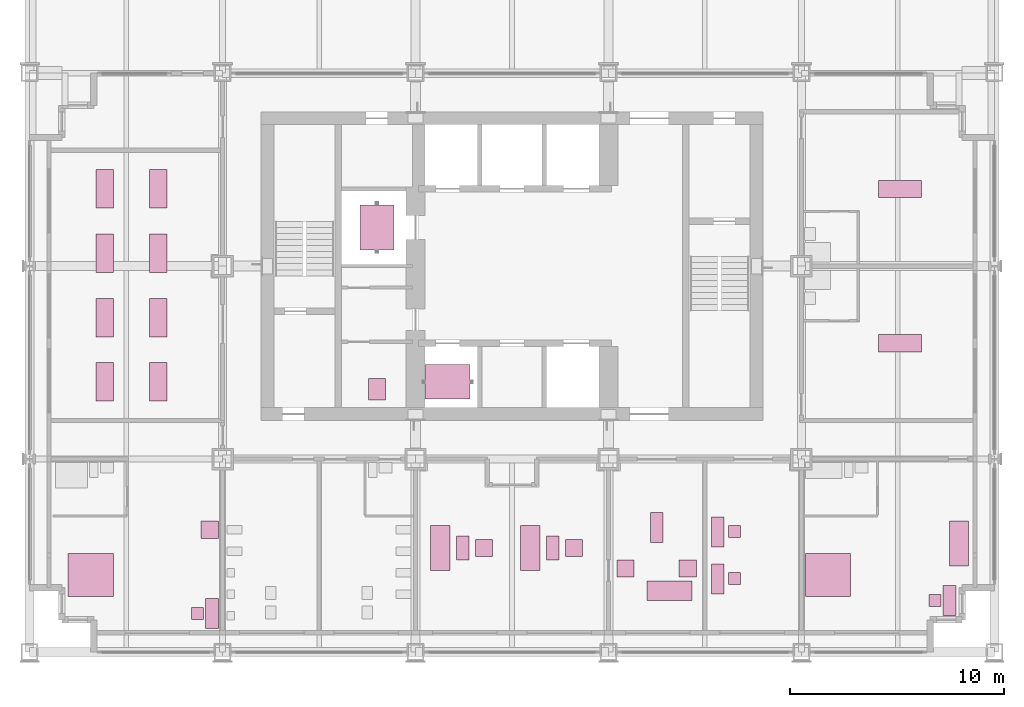
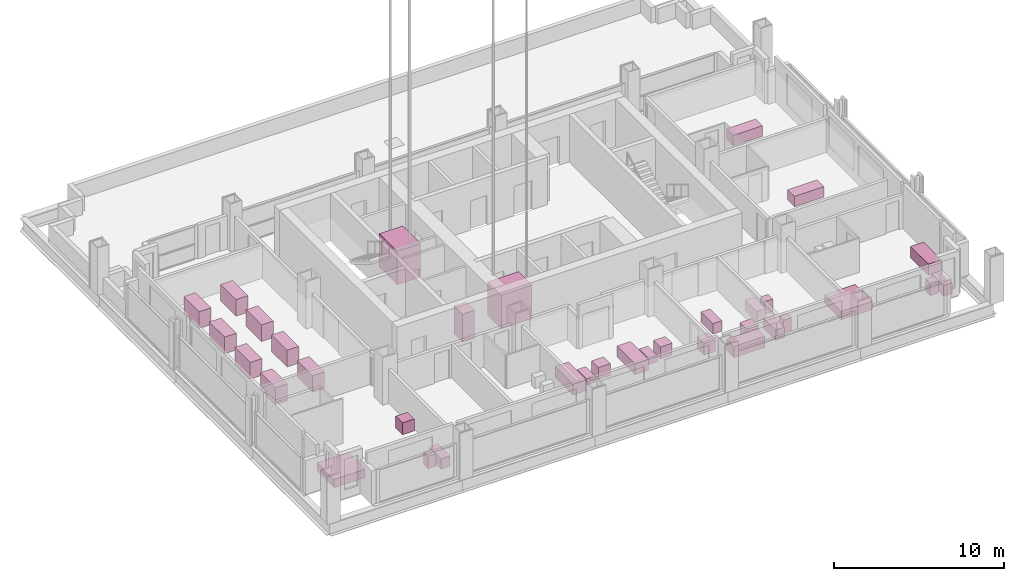
# One storey, part 14 of 15: 33 furniture elements, 2 transport elements.
"""IFC4 building model written with IfcOpenShell, lengths in metres."""

from ifc_helpers import new_model, si_unit, direction, frame, origin, origin_2d, place, context, subcontext, project, spatial, rectangle, extrude, material, type_object, element, save


model = new_model("IFC4")

# Units and contexts
model_context = context("Model", 3, precision=1e-05, world=origin(), true_north=direction((0.0, 1.0)))
body_context = subcontext(model_context, "Body", "Model", "MODEL_VIEW")
ifc_project = project(units=[si_unit("LENGTHUNIT", "METRE"), si_unit("AREAUNIT", "SQUARE_METRE"), si_unit("VOLUMEUNIT", "CUBIC_METRE"), si_unit("PLANEANGLEUNIT", "RADIAN"), si_unit("MASSUNIT", "GRAM", prefix="KILO")], contexts=[model_context])

# Site, building, storey
site_placement = place(None, origin())
site = spatial("IfcSite", under=ifc_project, at=site_placement, CompositionType="ELEMENT")
building_placement = place(site_placement, origin())
building = spatial("IfcBuilding", under=site, at=building_placement, Name="Loomwork Tower", CompositionType="ELEMENT")
storey_placement = place(building_placement, frame((0.0, 0.0, 160.39990234375)))
storey = spatial("IfcBuildingStorey", under=building, at=storey_placement, Name="L43", CompositionType="ELEMENT", Elevation=160.39990234375)

# Transport elements
ifc_material = material(Name="Steel lift car", Category="steel")
transport_element_type = type_object("IfcTransportElementType", Name="Passenger lift 1600 kg", PredefinedType="ELEVATOR", material=ifc_material)
for number, where, z_axis, x_axis, name in (
    (1, (19.5, 12.60009765625, -5.0), (0.0, 0.0, 1.0), (1.0, 0.0, 0.0), "Passenger lift LC1"),
    (2, (16.199951171875, 19.800048828125, -5.0), (0.0, 0.0, 1.0), (0.0, 1.0, 0.0), "Passenger lift LC2"),
):
    element("IfcTransportElement", number, at=place(storey_placement, frame(where, z_axis=z_axis, x_axis=x_axis)), inside=storey, type_object=transport_element_type, Name=name, PredefinedType="ELEVATOR", context=body_context, shape_type="SweptSolid", body=[
        extrude(rectangle(XDim=2.10009765625, YDim=1.60009765625, at=origin_2d()), frame((0.0, 0.0, 5.0)), (0.0, 0.0, 1.0), 2.39990234375),
    ])

# Furniture
furniture_1_placement = place(storey_placement, frame((2.85009765625, 3.60009765625, 0.0), z_axis=(0.0, 0.0, 1.0), x_axis=(1.0, 0.0, 0.0)))
element("IfcFurniture", 3, at=furniture_1_placement, inside=storey, Name="King bed L43", PredefinedType="BED", context=body_context, shape_type="SweptSolid", body=[
    extrude(rectangle(XDim=2.10009765625, YDim=2.0, at=origin_2d()), origin(), (0.0, 0.0, 1.0), 0.60009765625),
])
furniture_2_placement = place(storey_placement, frame((8.5, 1.800048828125, 0.0), z_axis=(0.0, 0.0, 1.0), x_axis=(1.0, 0.0, 0.0)))
element("IfcFurniture", 4, at=furniture_2_placement, inside=storey, Name="Writing desk L43", PredefinedType="DESK", context=body_context, shape_type="SweptSolid", body=[
    extrude(rectangle(XDim=0.60009765625, YDim=1.39990234375, at=origin_2d()), origin(), (0.0, 0.0, 1.0), 0.75),
])
furniture_3_placement = place(storey_placement, frame((7.824951171875, 1.800048828125, 0.000244140625), z_axis=(0.0, 0.0, 1.0), x_axis=(1.0, 0.0, 0.0)))
element("IfcFurniture", 5, at=furniture_3_placement, inside=storey, Name="Desk chair L43", PredefinedType="CHAIR", context=body_context, shape_type="SweptSolid", body=[
    extrude(rectangle(XDim=0.550048828125, YDim=0.550048828125, at=origin_2d()), origin(), (0.0, 0.0, 1.0), 0.89990234375),
])
furniture_4_placement = place(storey_placement, frame((8.39990234375, 5.699951171875, 0.0), z_axis=(0.0, 0.0, 1.0), x_axis=(1.0, 0.0, 0.0)))
element("IfcFurniture", 6, at=furniture_4_placement, inside=storey, Name="Lounge armchair L43", PredefinedType="CHAIR", context=body_context, shape_type="SweptSolid", body=[
    extrude(rectangle(XDim=0.800048828125, YDim=0.800048828125, at=origin_2d()), origin(), (0.0, 0.0, 1.0), 0.85009765625),
])
furniture_5_placement = place(storey_placement, frame((19.14990234375, 4.85009765625, 0.0), z_axis=(0.0, 0.0, 1.0), x_axis=(1.0, 0.0, 0.0)))
element("IfcFurniture", 7, at=furniture_5_placement, inside=storey, Name="Sofa L43", PredefinedType="SOFA", context=body_context, shape_type="SweptSolid", body=[
    extrude(rectangle(XDim=0.89990234375, YDim=2.10009765625, at=origin_2d()), origin(), (0.0, 0.0, 1.0), 0.800048828125),
])
furniture_6_placement = place(storey_placement, frame((20.199951171875, 4.85009765625, 0.0), z_axis=(0.0, 0.0, 1.0), x_axis=(1.0, 0.0, 0.0)))
element("IfcFurniture", 8, at=furniture_6_placement, inside=storey, Name="Coffee table L43", PredefinedType="TABLE", context=body_context, shape_type="SweptSolid", body=[
    extrude(rectangle(XDim=0.60009765625, YDim=1.10009765625, at=origin_2d()), origin(), (0.0, 0.0, 1.0), 0.449951171875),
])
furniture_7_placement = place(storey_placement, frame((21.199951171875, 4.85009765625, 0.0), z_axis=(0.0, 0.0, 1.0), x_axis=(1.0, 0.0, 0.0)))
element("IfcFurniture", 9, at=furniture_7_placement, inside=storey, Name="Lounge armchair L43", PredefinedType="CHAIR", context=body_context, shape_type="SweptSolid", body=[
    extrude(rectangle(XDim=0.800048828125, YDim=0.800048828125, at=origin_2d()), origin(), (0.0, 0.0, 1.0), 0.85009765625),
])
furniture_8_placement = place(storey_placement, frame((23.35009765625, 4.85009765625, 0.0), z_axis=(0.0, 0.0, 1.0), x_axis=(1.0, 0.0, 0.0)))
element("IfcFurniture", 10, at=furniture_8_placement, inside=storey, Name="Sofa L43", PredefinedType="SOFA", context=body_context, shape_type="SweptSolid", body=[
    extrude(rectangle(XDim=0.89990234375, YDim=2.10009765625, at=origin_2d()), origin(), (0.0, 0.0, 1.0), 0.800048828125),
])
furniture_9_placement = place(storey_placement, frame((24.39990234375, 4.85009765625, 0.0), z_axis=(0.0, 0.0, 1.0), x_axis=(1.0, 0.0, 0.0)))
element("IfcFurniture", 11, at=furniture_9_placement, inside=storey, Name="Coffee table L43", PredefinedType="TABLE", context=body_context, shape_type="SweptSolid", body=[
    extrude(rectangle(XDim=0.60009765625, YDim=1.10009765625, at=origin_2d()), origin(), (0.0, 0.0, 1.0), 0.449951171875),
])
furniture_10_placement = place(storey_placement, frame((25.39990234375, 4.85009765625, 0.0), z_axis=(0.0, 0.0, 1.0), x_axis=(1.0, 0.0, 0.0)))
element("IfcFurniture", 12, at=furniture_10_placement, inside=storey, Name="Lounge armchair L43", PredefinedType="CHAIR", context=body_context, shape_type="SweptSolid", body=[
    extrude(rectangle(XDim=0.800048828125, YDim=0.800048828125, at=origin_2d()), origin(), (0.0, 0.0, 1.0), 0.85009765625),
])
furniture_11_placement = place(storey_placement, frame((29.25, 5.800048828125, 0.0), z_axis=(0.0, 0.0, 1.0), x_axis=(1.0, 0.0, 0.0)))
element("IfcFurniture", 13, at=furniture_11_placement, inside=storey, Name="Writing desk L43", PredefinedType="DESK", context=body_context, shape_type="SweptSolid", body=[
    extrude(rectangle(XDim=0.60009765625, YDim=1.39990234375, at=origin_2d()), origin(), (0.0, 0.0, 1.0), 0.75),
])
for number, where, z_axis, x_axis, name in (
    (14, (27.800048828125, 3.89990234375, 0.0), (0.0, 0.0, 1.0), (1.0, 0.0, 0.0), "Lounge armchair L43"),
    (15, (30.699951171875, 3.89990234375, 0.0), (0.0, 0.0, 1.0), (1.0, 0.0, 0.0), "Lounge armchair L43"),
):
    element("IfcFurniture", number, at=place(storey_placement, frame(where, z_axis=z_axis, x_axis=x_axis)), inside=storey, Name=name, PredefinedType="CHAIR", context=body_context, shape_type="SweptSolid", body=[
        extrude(rectangle(XDim=0.800048828125, YDim=0.800048828125, at=origin_2d()), origin(), (0.0, 0.0, 1.0), 0.85009765625),
    ])
furniture_12_placement = place(storey_placement, frame((29.85009765625, 2.85009765625, 0.0), z_axis=(0.0, 0.0, 1.0), x_axis=(1.0, 0.0, 0.0)))
element("IfcFurniture", 16, at=furniture_12_placement, inside=storey, Name="Sofa L43", PredefinedType="SOFA", context=body_context, shape_type="SweptSolid", body=[
    extrude(rectangle(XDim=2.10009765625, YDim=0.89990234375, at=origin_2d()), origin(), (0.0, 0.0, 1.0), 0.800048828125),
])
furniture_13_placement = place(storey_placement, frame((32.10009765625, 5.60009765625, 0.0), z_axis=(0.0, 0.0, 1.0), x_axis=(1.0, 0.0, 0.0)))
element("IfcFurniture", 17, at=furniture_13_placement, inside=storey, Name="Writing desk L43", PredefinedType="DESK", context=body_context, shape_type="SweptSolid", body=[
    extrude(rectangle(XDim=0.60009765625, YDim=1.39990234375, at=origin_2d()), origin(), (0.0, 0.0, 1.0), 0.75),
])
furniture_14_placement = place(storey_placement, frame((32.875, 5.625, 0.000244140625), z_axis=(0.0, 0.0, 1.0), x_axis=(1.0, 0.0, 0.0)))
element("IfcFurniture", 18, at=furniture_14_placement, inside=storey, Name="Desk chair L43", PredefinedType="CHAIR", context=body_context, shape_type="SweptSolid", body=[
    extrude(rectangle(XDim=0.550048828125, YDim=0.550048828125, at=origin_2d()), origin(), (0.0, 0.0, 1.0), 0.89990234375),
])
furniture_15_placement = place(storey_placement, frame((32.10009765625, 3.39990234375, 0.0), z_axis=(0.0, 0.0, 1.0), x_axis=(1.0, 0.0, 0.0)))
element("IfcFurniture", 19, at=furniture_15_placement, inside=storey, Name="Writing desk L43", PredefinedType="DESK", context=body_context, shape_type="SweptSolid", body=[
    extrude(rectangle(XDim=0.60009765625, YDim=1.39990234375, at=origin_2d()), origin(), (0.0, 0.0, 1.0), 0.75),
])
furniture_16_placement = place(storey_placement, frame((32.875, 3.425048828125, 0.000244140625), z_axis=(0.0, 0.0, 1.0), x_axis=(1.0, 0.0, 0.0)))
element("IfcFurniture", 20, at=furniture_16_placement, inside=storey, Name="Desk chair L43", PredefinedType="CHAIR", context=body_context, shape_type="SweptSolid", body=[
    extrude(rectangle(XDim=0.550048828125, YDim=0.550048828125, at=origin_2d()), origin(), (0.0, 0.0, 1.0), 0.89990234375),
])
furniture_17_placement = place(storey_placement, frame((37.25, 3.60009765625, 0.0), z_axis=(0.0, 0.0, 1.0), x_axis=(1.0, 0.0, 0.0)))
element("IfcFurniture", 21, at=furniture_17_placement, inside=storey, Name="King bed L43", PredefinedType="BED", context=body_context, shape_type="SweptSolid", body=[
    extrude(rectangle(XDim=2.10009765625, YDim=2.0, at=origin_2d()), origin(), (0.0, 0.0, 1.0), 0.60009765625),
])
furniture_18_placement = place(storey_placement, frame((42.89990234375, 2.39990234375, 0.0), z_axis=(0.0, 0.0, 1.0), x_axis=(1.0, 0.0, 0.0)))
element("IfcFurniture", 22, at=furniture_18_placement, inside=storey, Name="Writing desk L43", PredefinedType="DESK", context=body_context, shape_type="SweptSolid", body=[
    extrude(rectangle(XDim=0.60009765625, YDim=1.39990234375, at=origin_2d()), origin(), (0.0, 0.0, 1.0), 0.75),
])
furniture_19_placement = place(storey_placement, frame((42.22509765625, 2.39990234375, 0.000244140625), z_axis=(0.0, 0.0, 1.0), x_axis=(1.0, 0.0, 0.0)))
element("IfcFurniture", 23, at=furniture_19_placement, inside=storey, Name="Desk chair L43", PredefinedType="CHAIR", context=body_context, shape_type="SweptSolid", body=[
    extrude(rectangle(XDim=0.550048828125, YDim=0.550048828125, at=origin_2d()), origin(), (0.0, 0.0, 1.0), 0.89990234375),
])
furniture_20_placement = place(storey_placement, frame((43.35009765625, 5.050048828125, 0.0), z_axis=(0.0, 0.0, 1.0), x_axis=(1.0, 0.0, 0.0)))
element("IfcFurniture", 24, at=furniture_20_placement, inside=storey, Name="Sofa L43", PredefinedType="SOFA", context=body_context, shape_type="SweptSolid", body=[
    extrude(rectangle(XDim=0.89990234375, YDim=2.10009765625, at=origin_2d()), origin(), (0.0, 0.0, 1.0), 0.800048828125),
])
for number, where, z_axis, x_axis, name in (
    (25, (6.0, 12.60009765625, 0.0), (0.0, 0.0, 1.0), (1.0, 0.0, 0.0), "Fitness station L43"),
    (26, (3.5, 12.60009765625, 0.0), (0.0, 0.0, 1.0), (1.0, 0.0, 0.0), "Fitness station L43"),
    (27, (6.0, 15.60009765625, 0.0), (0.0, 0.0, 1.0), (1.0, 0.0, 0.0), "Fitness station L43"),
    (28, (3.5, 15.60009765625, 0.0), (0.0, 0.0, 1.0), (1.0, 0.0, 0.0), "Fitness station L43"),
    (29, (6.0, 18.60009765625, 0.0), (0.0, 0.0, 1.0), (1.0, 0.0, 0.0), "Fitness station L43"),
    (30, (3.5, 18.60009765625, 0.0), (0.0, 0.0, 1.0), (1.0, 0.0, 0.0), "Fitness station L43"),
    (31, (6.0, 21.60009765625, 0.0), (0.0, 0.0, 1.0), (1.0, 0.0, 0.0), "Fitness station L43"),
    (32, (3.5, 21.60009765625, 0.0), (0.0, 0.0, 1.0), (1.0, 0.0, 0.0), "Fitness station L43"),
):
    element("IfcFurniture", number, at=place(storey_placement, frame(where, z_axis=z_axis, x_axis=x_axis)), inside=storey, Name=name, ObjectType="FITNESS EQUIPMENT", PredefinedType="USERDEFINED", context=body_context, shape_type="SweptSolid", body=[
        extrude(rectangle(XDim=0.800048828125, YDim=1.800048828125, at=origin_2d()), origin(), (0.0, 0.0, 1.0), 1.199951171875),
    ])
for number, where, z_axis, x_axis, name in (
    (33, (40.60009765625, 14.39990234375, 0.0), (0.0, 0.0, 1.0), (1.0, 0.0, 0.0), "Treatment couch L43"),
    (34, (40.60009765625, 21.60009765625, 0.0), (0.0, 0.0, 1.0), (1.0, 0.0, 0.0), "Treatment couch L43"),
):
    element("IfcFurniture", number, at=place(storey_placement, frame(where, z_axis=z_axis, x_axis=x_axis)), inside=storey, Name=name, PredefinedType="BED", context=body_context, shape_type="SweptSolid", body=[
        extrude(rectangle(XDim=2.0, YDim=0.800048828125, at=origin_2d()), origin(), (0.0, 0.0, 1.0), 0.75),
    ])
furniture_21_placement = place(storey_placement, frame((16.199951171875, 12.25, 0.0), z_axis=(0.0, 0.0, 1.0), x_axis=(1.0, 0.0, 0.0)))
element("IfcFurniture", 35, at=furniture_21_placement, inside=storey, Name="Data cabinet L43", ObjectType="DATA CABINET", PredefinedType="USERDEFINED", context=body_context, shape_type="SweptSolid", body=[
    extrude(rectangle(XDim=0.800048828125, YDim=1.0, at=origin_2d()), origin(), (0.0, 0.0, 1.0), 2.0),
])

save(model, "model.ifc")
